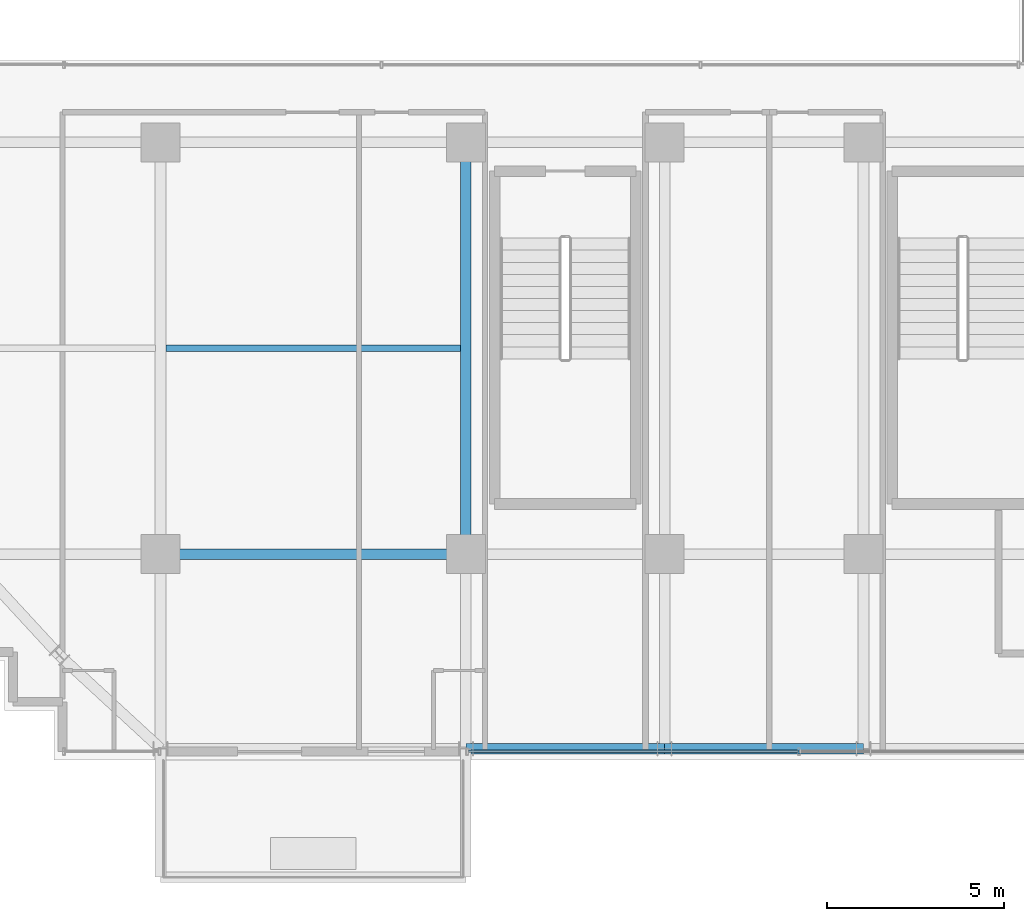
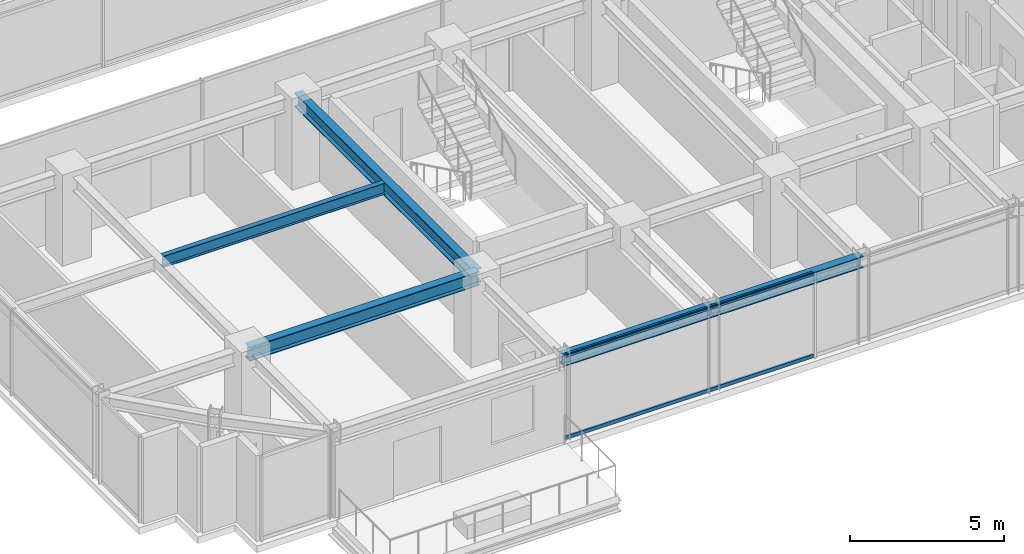
# One storey, part 4 of 38: 5 beams, 2 members, 1 element without a shape of its own.
"""IFC4 building model written with IfcOpenShell, lengths in metres."""

from ifc_helpers import new_model, si_unit, direction, frame, origin, origin_2d, place, context, subcontext, project, spatial, hollow_rectangle, i_section, extrude, source, transform, mapped, material, material_profile, profile_set, type_object, element, aggregate, save


model = new_model("IFC4")

# Units and contexts
model_context = context("Model", 3, precision=1e-05, world=origin(), true_north=direction((0.0, 1.0)))
body_context = subcontext(model_context, "Body", "Model", "MODEL_VIEW")
ifc_project = project(units=[si_unit("LENGTHUNIT", "METRE"), si_unit("AREAUNIT", "SQUARE_METRE"), si_unit("VOLUMEUNIT", "CUBIC_METRE"), si_unit("PLANEANGLEUNIT", "RADIAN"), si_unit("MASSUNIT", "GRAM", prefix="KILO")], contexts=[model_context])

# Site, building, storey
site_placement = place(None, origin())
site = spatial("IfcSite", under=ifc_project, at=site_placement, CompositionType="ELEMENT")
building_placement = place(site_placement, origin())
building = spatial("IfcBuilding", under=site, at=building_placement, Name="Nahalor Promenade Grand Hotel", CompositionType="ELEMENT")
storey_placement = place(building_placement, frame((0.0, 0.0, 178.199951171875)))
storey = spatial("IfcBuildingStorey", under=building, at=storey_placement, Name="L45", CompositionType="ELEMENT", Elevation=178.199951171875)

# Beams
ifc_material_1 = material(Name="Steel S355JR", Category="steel")
ifc_material_profile_1 = material_profile(ifc_material_1, i_section(OverallWidth=0.3, OverallDepth=0.55, WebThickness=0.015, FlangeThickness=0.029, at=origin_2d()), Name="HEB 550")
ifc_profile_set_1 = profile_set([ifc_material_profile_1], Name="Steel S355JR")
beam_type_1 = type_object("IfcBeamType", Name="Beam-Girder-HEB550", PredefinedType="BEAM", material=ifc_profile_set_1)
shared_shape_1 = source(origin(), body_context, "Body", "SweptSolid", [
    extrude(i_section(OverallWidth=0.3, OverallDepth=0.55, WebThickness=0.015, FlangeThickness=0.029, at=origin_2d()), origin(), (0.0, 0.0, 1.0), 8.60009765625),
])
beam_1_placement = place(storey_placement, frame((-17.0, -17.0, 3.114990234375), z_axis=(1.0, 0.0, 0.0), x_axis=(0.0, 1.0, 0.0)))
element("IfcBeam", 1, at=beam_1_placement, inside=storey, type_object=beam_type_1, Name="BM-L45-GX-0-1", PredefinedType="BEAM", context=body_context, shape_type="MappedRepresentation", body=[
    mapped(shared_shape_1, transform((0.0, 0.0, 0.0), scale=1.0)),
])
shared_shape_2 = source(origin(), body_context, "Body", "SweptSolid", [
    extrude(i_section(OverallWidth=0.3, OverallDepth=0.55, WebThickness=0.015, FlangeThickness=0.029, at=origin_2d()), origin(), (0.0, 0.0, 1.0), 11.60009765625),
])
beam_2_placement = place(storey_placement, frame((-8.39990234375, -17.0, 3.114990234375), z_axis=(0.0, 1.0, 0.0), x_axis=(-1.0, 0.0, 0.0)))
element("IfcBeam", 2, at=beam_2_placement, inside=storey, type_object=beam_type_1, Name="BM-L45-GY-1-1", PredefinedType="BEAM", context=body_context, shape_type="MappedRepresentation", body=[
    mapped(shared_shape_2, transform((0.0, 0.0, 0.0), scale=1.0)),
])
ifc_material_profile_2 = material_profile(ifc_material_1, i_section(OverallWidth=0.19, OverallDepth=0.45, WebThickness=0.0094, FlangeThickness=0.0146, at=origin_2d()), Name="IPE 450")
ifc_profile_set_2 = profile_set([ifc_material_profile_2], Name="Steel S355JR")
beam_type_2 = type_object("IfcBeamType", Name="Beam-Joist-IPE450", PredefinedType="JOIST", material=ifc_profile_set_2)
shared_shape_3 = source(origin(), body_context, "Body", "SweptSolid", [
    extrude(i_section(OverallWidth=0.19, OverallDepth=0.45, WebThickness=0.0094, FlangeThickness=0.0146, at=origin_2d()), origin(), (0.0, 0.0, 1.0), 8.300048828125),
])
beam_3_placement = place(storey_placement, frame((-16.85009765625, -11.199951171875, 3.1650390625), z_axis=(1.0, 0.0, 0.0), x_axis=(0.0, 1.0, 0.0)))
element("IfcBeam", 3, at=beam_3_placement, inside=storey, type_object=beam_type_2, Name="BM-L45-JSW-0-1", PredefinedType="JOIST", context=body_context, shape_type="MappedRepresentation", body=[
    mapped(shared_shape_3, transform((0.0, 0.0, 0.0), scale=1.0)),
])
ifc_material_profile_3 = material_profile(ifc_material_1, i_section(OverallWidth=0.3, OverallDepth=0.45, WebThickness=0.014, FlangeThickness=0.026, at=origin_2d()), Name="HEB 450")
ifc_profile_set_3 = profile_set([ifc_material_profile_3], Name="Steel S355JR")
beam_type_3 = type_object("IfcBeamType", Name="Beam-Spandrel-HEB450", PredefinedType="SPANDREL", material=ifc_profile_set_3)
shared_shape_4 = source(origin(), body_context, "Body", "SweptSolid", [
    extrude(i_section(OverallWidth=0.3, OverallDepth=0.45, WebThickness=0.014, FlangeThickness=0.026, at=origin_2d()), origin(), (0.0, 0.0, 1.0), 5.599853515625),
])
beam_4_placement = place(storey_placement, frame((-8.39990234375, -22.47998046875, 3.1650390625), z_axis=(1.0, 0.0, 0.0), x_axis=(0.0, 1.0, 0.0)))
element("IfcBeam", 4, at=beam_4_placement, inside=storey, type_object=beam_type_3, Name="BM-L45-SP-S-1", PredefinedType="SPANDREL", context=body_context, shape_type="MappedRepresentation", body=[
    mapped(shared_shape_4, transform((0.0, 0.0, 0.0), scale=1.0)),
])
shared_shape_5 = source(origin(), body_context, "Body", "SweptSolid", [
    extrude(i_section(OverallWidth=0.3, OverallDepth=0.45, WebThickness=0.014, FlangeThickness=0.026, at=origin_2d()), origin(), (0.0, 0.0, 1.0), 5.60009765625),
])
beam_5_placement = place(storey_placement, frame((-2.800048828125, -22.47998046875, 3.1650390625), z_axis=(1.0, 0.0, 0.0), x_axis=(0.0, 1.0, 0.0)))
element("IfcBeam", 5, at=beam_5_placement, inside=storey, type_object=beam_type_3, Name="BM-L45-SP-S-2", PredefinedType="SPANDREL", context=body_context, shape_type="MappedRepresentation", body=[
    mapped(shared_shape_5, transform((0.0, 0.0, 0.0), scale=1.0)),
])

# Curtain wall, members
ifc_material_2 = material(Name="Anodised Bronze Aluminium EN AW-6063 T6", Category="aluminium")
curtain_wall_type = type_object("IfcCurtainWallType", Name="CW3 Elliptical-Void Collar Unitised Curtain Wall", PredefinedType="USERDEFINED", material=ifc_material_2)
curtain_wall_placement = place(storey_placement, origin())
curtain_wall = element("IfcCurtainWall", 6, at=curtain_wall_placement, inside=storey, type_object=curtain_wall_type, Name="L45 Curtain Wall CW-L45-S-3", ObjectType="UNITISED_CURTAIN_WALL", PredefinedType="USERDEFINED")
ifc_material_profile_4 = material_profile(ifc_material_2, hollow_rectangle(XDim=0.07, YDim=0.14, WallThickness=0.004, at=origin_2d()), Name="CWT 70x140x4")
ifc_profile_set_4 = profile_set([ifc_material_profile_4], Name="Anodised Bronze Aluminium EN AW-6063 T6")
member_type = type_object("IfcMemberType", Name="CWT3 Void Collar Transom 70x140", PredefinedType="USERDEFINED", material=ifc_profile_set_4)
shared_shape_6 = source(origin(), body_context, "Body", "SweptSolid", [
    extrude(hollow_rectangle(XDim=0.07, YDim=0.14, WallThickness=0.004, at=origin_2d()), origin(), (0.0, 0.0, 1.0), 9.28173828125),
])
member_1_placement = place(storey_placement, frame((-8.330078125, -22.56005859375, 0.070068359375), z_axis=(1.0, 0.0, 0.0), x_axis=(0.0, 1.0, 0.0)))
member_1 = element("IfcMember", 7, at=member_1_placement, type_object=member_type, Name="CW-L45-S-3 Transom 0-0", ObjectType="TRANSOM", PredefinedType="USERDEFINED", context=body_context, shape_type="MappedRepresentation", body=[
    mapped(shared_shape_6, transform((0.0, 0.0, 0.0), scale=1.0)),
])
member_2_placement = place(storey_placement, frame((-8.330078125, -22.56005859375, 3.320068359375), z_axis=(1.0, 0.0, 0.0), x_axis=(0.0, 1.0, 0.0)))
member_2 = element("IfcMember", 8, at=member_2_placement, type_object=member_type, Name="CW-L45-S-3 Transom 0-1", ObjectType="TRANSOM", PredefinedType="USERDEFINED", context=body_context, shape_type="MappedRepresentation", body=[
    mapped(shared_shape_6, transform((0.0, 0.0, 0.0), scale=1.0)),
])
aggregate(curtain_wall, [member_1, member_2])

save(model, "model.ifc")
